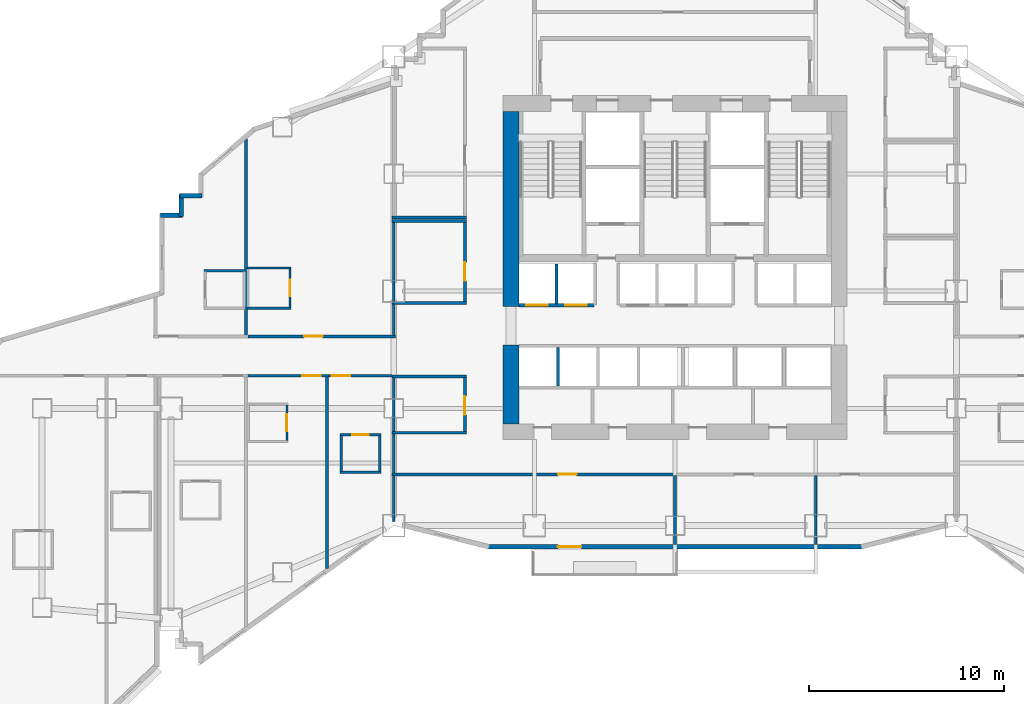
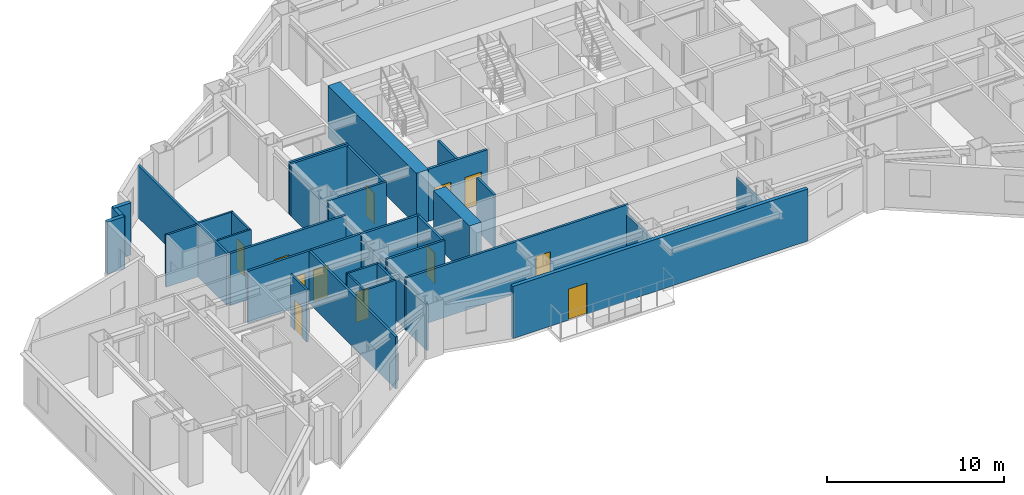
# One storey, part 7 of 17: 38 walls, 12 doors, 12 openings.
"""IFC4 building model written with IfcOpenShell, lengths in metres."""

from ifc_helpers import new_model, si_unit, direction, frame, frame_2d, origin, place, context, subcontext, project, spatial, rectangle, extrude, material, layer, layer_set, type_object, element, fill, save


model = new_model("IFC4")

# Units and contexts
model_context = context("Model", 3, precision=1e-05, world=origin(), true_north=direction((0.0, 1.0)))
body_context = subcontext(model_context, "Body", "Model", "MODEL_VIEW")
ifc_project = project(units=[si_unit("LENGTHUNIT", "METRE"), si_unit("AREAUNIT", "SQUARE_METRE"), si_unit("VOLUMEUNIT", "CUBIC_METRE"), si_unit("PLANEANGLEUNIT", "RADIAN"), si_unit("MASSUNIT", "GRAM", prefix="KILO")], contexts=[model_context])

# Site, building, storey
site_placement = place(None, origin())
site = spatial("IfcSite", under=ifc_project, at=site_placement, CompositionType="ELEMENT")
building_placement = place(site_placement, origin())
building = spatial("IfcBuilding", under=site, at=building_placement, Name="Haolan Belvedere Tower", CompositionType="ELEMENT")
storey_placement = place(building_placement, frame((0.0, 0.0, 55.199951171875)))
storey = spatial("IfcBuildingStorey", under=building, at=storey_placement, Name="L13", CompositionType="ELEMENT", Elevation=55.199951171875)

# Walls
ifc_material_1 = material(Name="Concrete C70/85", Category="concrete")
ifc_layer_1 = layer(ifc_material_1, 0.800048828125, Name="Concrete C70/85")
ifc_layer_set_1 = layer_set([ifc_layer_1], Name="Concrete C70/85")
wall_type_1 = type_object("IfcWallType", Name="WL-CORE-800", PredefinedType="SHEAR", material=ifc_layer_set_1)
wall_1_placement = place(storey_placement, frame((30.0, 26.800048828125, 0.0), z_axis=(0.0, 0.0, 1.0), x_axis=(0.0, 1.0, 0.0)))
element("IfcWall", 1, at=wall_1_placement, inside=storey, type_object=wall_type_1, Name="L13 central core shear wall WS", PredefinedType="SHEAR", context=body_context, shape_type="SweptSolid", body=[
    extrude(rectangle(XDim=4.050048828125, YDim=0.800048828125, at=frame_2d((2.02490234375, 0.0))), origin(), (0.0, 0.0, 1.0), 3.60009765625),
])
wall_2_placement = place(storey_placement, frame((30.0, 32.800048828125, 0.0), z_axis=(0.0, 0.0, 1.0), x_axis=(0.0, 1.0, 0.0)))
element("IfcWall", 2, at=wall_2_placement, inside=storey, type_object=wall_type_1, Name="L13 central core shear wall WN", PredefinedType="SHEAR", context=body_context, shape_type="SweptSolid", body=[
    extrude(rectangle(XDim=10.0, YDim=0.800048828125, at=frame_2d((5.0, 0.0))), origin(), (0.0, 0.0, 1.0), 3.60009765625),
])

# Wall, opening, door
ifc_material_2 = material(Name="Precast concrete C40/50", Category="concrete")
ifc_layer_2 = layer(ifc_material_2, 0.239990234375, Name="Precast concrete C40/50")
ifc_layer_set_2 = layer_set([ifc_layer_2], Name="Precast concrete C40/50")
wall_type_2 = type_object("IfcWallType", Name="WL-EXT-240", PredefinedType="SOLIDWALL", material=ifc_layer_set_2)
wall_3_placement = place(storey_placement, frame((28.759765625, 20.52001953125, 0.0), z_axis=(0.0, 0.0, 1.0), x_axis=(1.0, 0.0, 0.0)))
wall_3 = element("IfcWall", 3, at=wall_3_placement, inside=storey, type_object=wall_type_2, Name="L13 pale-metal exterior spandrel wall 13.1", PredefinedType="SOLIDWALL", context=body_context, shape_type="SweptSolid", body=[
    extrude(rectangle(XDim=19.280517578125, YDim=0.239990234375, at=frame_2d((9.64013671875, 0.0))), origin(), (0.0, 0.0, 1.0), 3.60009765625),
])
opening_1_placement = place(wall_3_placement, frame((4.840087890625, 0.0, 0.0), z_axis=(0.0, 0.0, 1.0), x_axis=(-1.0, 0.0, 0.0)))
opening_1 = element("IfcOpeningElement", 4, at=opening_1_placement, cuts=wall_3, Name="Opening BD-01", PredefinedType="OPENING", context=body_context, shape_type="SweptSolid", body=[
    extrude(rectangle(XDim=1.199951171875, YDim=2.14990234375, at=frame_2d((0.60009765625, 1.074951171875))), frame((0.0, 0.1298828125, 0.0), z_axis=(0.0, -1.0, 0.0), x_axis=(1.0, 0.0, 0.0)), (0.0, 0.0, 1.0), 0.260009765625),
])
ifc_material_3 = material(Name="Thermally broken pale-metal aluminium and Low-E glass", Category="aluminium")
door_type_1 = type_object("IfcDoorType", Name="DR-BAL-1200", OperationType="NOTDEFINED", PredefinedType="DOOR", material=ifc_material_3)
door_1_placement = place(opening_1_placement, origin())
door_1 = element("IfcDoor", 5, at=door_1_placement, inside=storey, type_object=door_type_1, Name="L13 tree-balcony access door 1", OperationType="SINGLE_SWING_LEFT", OverallHeight=2.14990234375, OverallWidth=1.199951171875, PredefinedType="DOOR", context=body_context, shape_type="SweptSolid", body=[
    extrude(rectangle(XDim=1.199951171875, YDim=2.14990234375, at=frame_2d((0.60009765625, 1.074951171875))), frame((0.0, 0.02490234375, 0.0), z_axis=(0.0, -1.0, 0.0), x_axis=(1.0, 0.0, 0.0)), (0.0, 0.0, 1.0), 0.050048828125),
])
fill(opening_1, door_1)

# Walls
wall_4_placement = place(storey_placement, frame((14.175048828125, 38.47998046875, 0.0), z_axis=(0.0, 0.0, 1.0), x_axis=(-1.0, 0.0, 0.0)))
element("IfcWall", 6, at=wall_4_placement, inside=storey, type_object=wall_type_2, Name="L13 pale-metal exterior spandrel wall 53.1", PredefinedType="SOLIDWALL", context=body_context, shape_type="SweptSolid", body=[
    extrude(rectangle(XDim=1.110107421875, YDim=0.239990234375, at=frame_2d((0.55517578125, 0.0))), origin(), (0.0, 0.0, 1.0), 3.60009765625),
])
wall_5_placement = place(storey_placement, frame((13.1201171875, 38.534912109375, 0.0), z_axis=(0.0, 0.0, 1.0), x_axis=(0.0, -1.0, 0.0)))
element("IfcWall", 7, at=wall_5_placement, inside=storey, type_object=wall_type_2, Name="L13 pale-metal exterior spandrel wall 54.1", PredefinedType="SOLIDWALL", context=body_context, shape_type="SweptSolid", body=[
    extrude(rectangle(XDim=1.10986328125, YDim=0.239990234375, at=frame_2d((0.554931640625, 0.0))), origin(), (0.0, 0.0, 1.0), 3.60009765625),
])
wall_6_placement = place(storey_placement, frame((13.175048828125, 37.47998046875, 0.0), z_axis=(0.0, 0.0, 1.0), x_axis=(-1.0, 0.0, 0.0)))
element("IfcWall", 8, at=wall_6_placement, inside=storey, type_object=wall_type_2, Name="L13 pale-metal exterior spandrel wall 55.1", PredefinedType="SOLIDWALL", context=body_context, shape_type="SweptSolid", body=[
    extrude(rectangle(XDim=1.110107421875, YDim=0.239990234375, at=frame_2d((0.55517578125, 0.0))), origin(), (0.0, 0.0, 1.0), 3.60009765625),
])
ifc_material_4 = material(Name="Double gypsum acoustic stud partition", Category="masonry")
ifc_layer_3 = layer(ifc_material_4, 0.14990234375, Name="Double gypsum acoustic stud partition")
ifc_layer_set_3 = layer_set([ifc_layer_3], Name="Double gypsum acoustic stud partition")
wall_type_3 = type_object("IfcWallType", Name="WL-PART-150", PredefinedType="PARTITIONING", material=ifc_layer_set_3)
for number, where, z_axis, x_axis, name in (
    (9, (23.919921875, 37.199951171875, 0.0), (0.0, 0.0, 1.0), (1.0, 0.0, 0.0), "L13 interior partition IW-L13-HSK-N"),
    (10, (23.919921875, 33.0, 0.0), (0.0, 0.0, 1.0), (1.0, 0.0, 0.0), "L13 interior partition IW-L13-HSK-S"),
):
    element("IfcWall", number, at=place(storey_placement, frame(where, z_axis=z_axis, x_axis=x_axis)), inside=storey, type_object=wall_type_3, Name=name, PredefinedType="PARTITIONING", context=body_context, shape_type="SweptSolid", body=[
        extrude(rectangle(XDim=3.800048828125, YDim=0.14990234375, at=frame_2d((1.89990234375, 0.0))), origin(), (0.0, 0.0, 1.0), 3.60009765625),
    ])
wall_7_placement = place(storey_placement, frame((24.0, 33.06005859375, 0.0), z_axis=(0.0, 0.0, 1.0), x_axis=(0.0, 1.0, 0.0)))
element("IfcWall", 11, at=wall_7_placement, inside=storey, type_object=wall_type_3, Name="L13 interior partition IW-L13-HSK-W", PredefinedType="PARTITIONING", context=body_context, shape_type="SweptSolid", body=[
    extrude(rectangle(XDim=4.079833984375, YDim=0.14990234375, at=frame_2d((2.0400390625, 0.0))), origin(), (0.0, 0.0, 1.0), 3.09716796875),
])

# Wall, opening, door
wall_8_placement = place(storey_placement, frame((27.639892578125, 33.06005859375, 0.0), z_axis=(0.0, 0.0, 1.0), x_axis=(0.0, 1.0, 0.0)))
wall_8 = element("IfcWall", 12, at=wall_8_placement, inside=storey, type_object=wall_type_3, Name="L13 interior partition IW-L13-HSK-E", PredefinedType="PARTITIONING", context=body_context, shape_type="SweptSolid", body=[
    extrude(rectangle(XDim=4.079833984375, YDim=0.14990234375, at=frame_2d((2.0400390625, 0.0))), origin(), (0.0, 0.0, 1.0), 3.60009765625),
])
opening_2_placement = place(wall_8_placement, frame((2.010009765625, 0.0, 0.0), z_axis=(0.0, 0.0, 1.0), x_axis=(-1.0, 0.0, 0.0)))
opening_2 = element("IfcOpeningElement", 13, at=opening_2_placement, cuts=wall_8, Name="Opening ID-03", PredefinedType="OPENING", context=body_context, shape_type="SweptSolid", body=[
    extrude(rectangle(XDim=0.949951171875, YDim=2.1201171875, at=frame_2d((0.47509765625, 1.06005859375))), frame((0.0, 0.0849609375, 0.0), z_axis=(0.0, -1.0, 0.0), x_axis=(1.0, 0.0, 0.0)), (0.0, 0.0, 1.0), 0.169921875),
])
ifc_material_5 = material(Name="Painted solid-core timber", Category="wood")
door_type_2 = type_object("IfcDoorType", Name="DR-INT-950", OperationType="NOTDEFINED", PredefinedType="DOOR", material=ifc_material_5)
door_2_placement = place(opening_2_placement, origin())
door_2 = element("IfcDoor", 14, at=door_2_placement, inside=storey, type_object=door_type_2, Name="L13 door ID-L13-HSK", OperationType="SINGLE_SWING_LEFT", OverallHeight=2.1201171875, OverallWidth=0.949951171875, PredefinedType="DOOR", context=body_context, shape_type="SweptSolid", body=[
    extrude(rectangle(XDim=0.949951171875, YDim=2.1201171875, at=frame_2d((0.47509765625, 1.06005859375))), frame((0.0, 0.02490234375, 0.0), z_axis=(0.0, -1.0, 0.0), x_axis=(1.0, 0.0, 0.0)), (0.0, 0.0, 1.0), 0.050048828125),
])
fill(opening_2, door_2)

# Walls
for number, where, z_axis, x_axis, name in (
    (15, (23.919921875, 37.360107421875, 0.0), (0.0, 0.0, 1.0), (1.0, 0.0, 0.0), "L13 interior partition IW-L13-MTG-S"),
    (16, (23.919921875, 29.22998046875, 0.0), (0.0, 0.0, 1.0), (1.0, 0.0, 0.0), "L13 interior partition IW-L13-PKTW-N"),
    (17, (23.919921875, 26.35009765625, 0.0), (0.0, 0.0, 1.0), (1.0, 0.0, 0.0), "L13 interior partition IW-L13-PKTW-S"),
):
    element("IfcWall", number, at=place(storey_placement, frame(where, z_axis=z_axis, x_axis=x_axis)), inside=storey, type_object=wall_type_3, Name=name, PredefinedType="PARTITIONING", context=body_context, shape_type="SweptSolid", body=[
        extrude(rectangle(XDim=3.800048828125, YDim=0.14990234375, at=frame_2d((1.89990234375, 0.0))), origin(), (0.0, 0.0, 1.0), 3.60009765625),
    ])
wall_9_placement = place(storey_placement, frame((24.0, 26.409912109375, 0.0), z_axis=(0.0, 0.0, 1.0), x_axis=(0.0, 1.0, 0.0)))
element("IfcWall", 18, at=wall_9_placement, inside=storey, type_object=wall_type_3, Name="L13 interior partition IW-L13-PKTW-W", PredefinedType="PARTITIONING", context=body_context, shape_type="SweptSolid", body=[
    extrude(rectangle(XDim=2.760009765625, YDim=0.14990234375, at=frame_2d((1.3798828125, 0.0))), origin(), (0.0, 0.0, 1.0), 3.09716796875),
])

# Wall, opening, door
wall_10_placement = place(storey_placement, frame((27.639892578125, 26.409912109375, 0.0), z_axis=(0.0, 0.0, 1.0), x_axis=(0.0, 1.0, 0.0)))
wall_10 = element("IfcWall", 19, at=wall_10_placement, inside=storey, type_object=wall_type_3, Name="L13 interior partition IW-L13-PKTW-E", PredefinedType="PARTITIONING", context=body_context, shape_type="SweptSolid", body=[
    extrude(rectangle(XDim=2.760009765625, YDim=0.14990234375, at=frame_2d((1.3798828125, 0.0))), origin(), (0.0, 0.0, 1.0), 3.60009765625),
])
opening_3_placement = place(wall_10_placement, frame((1.81005859375, 0.0, 0.0), z_axis=(0.0, 0.0, 1.0), x_axis=(-1.0, 0.0, 0.0)))
opening_3 = element("IfcOpeningElement", 20, at=opening_3_placement, cuts=wall_10, Name="Opening ID-03", PredefinedType="OPENING", context=body_context, shape_type="SweptSolid", body=[
    extrude(rectangle(XDim=0.949951171875, YDim=2.1201171875, at=frame_2d((0.47509765625, 1.06005859375))), frame((0.0, 0.0849609375, 0.0), z_axis=(0.0, -1.0, 0.0), x_axis=(1.0, 0.0, 0.0)), (0.0, 0.0, 1.0), 0.169921875),
])
door_3_placement = place(opening_3_placement, origin())
door_3 = element("IfcDoor", 21, at=door_3_placement, inside=storey, type_object=door_type_2, Name="L13 door ID-L13-PKTW", OperationType="SINGLE_SWING_LEFT", OverallHeight=2.1201171875, OverallWidth=0.949951171875, PredefinedType="DOOR", context=body_context, shape_type="SweptSolid", body=[
    extrude(rectangle(XDim=0.949951171875, YDim=2.1201171875, at=frame_2d((0.47509765625, 1.06005859375))), frame((0.0, 0.02490234375, 0.0), z_axis=(0.0, -1.0, 0.0), x_axis=(1.0, 0.0, 0.0)), (0.0, 0.0, 1.0), 0.050048828125),
])
fill(opening_3, door_3)

wall_11_placement = place(storey_placement, frame((23.919921875, 24.219970703125, 0.0), z_axis=(0.0, 0.0, 1.0), x_axis=(1.0, 0.0, 0.0)))
wall_11 = element("IfcWall", 22, at=wall_11_placement, inside=storey, type_object=wall_type_3, Name="L13 interior partition IW-L13-KS1-N", PredefinedType="PARTITIONING", context=body_context, shape_type="SweptSolid", body=[
    extrude(rectangle(XDim=14.56005859375, YDim=0.14990234375, at=frame_2d((7.280029296875, 0.0))), origin(), (0.0, 0.0, 1.0), 3.60009765625),
])
opening_4_placement = place(wall_11_placement, frame((9.445068359375, 0.0, 0.0), z_axis=(0.0, 0.0, 1.0), x_axis=(-1.0, 0.0, 0.0)))
opening_4 = element("IfcOpeningElement", 23, at=opening_4_placement, cuts=wall_11, Name="Opening ID-03", PredefinedType="OPENING", context=body_context, shape_type="SweptSolid", body=[
    extrude(rectangle(XDim=0.949951171875, YDim=2.1201171875, at=frame_2d((0.47509765625, 1.06005859375))), frame((0.0, 0.0849609375, 0.0), z_axis=(0.0, -1.0, 0.0), x_axis=(1.0, 0.0, 0.0)), (0.0, 0.0, 1.0), 0.169921875),
])
door_4_placement = place(opening_4_placement, origin())
door_4 = element("IfcDoor", 24, at=door_4_placement, inside=storey, type_object=door_type_2, Name="L13 door ID-L13-KS1", OperationType="SINGLE_SWING_LEFT", OverallHeight=2.1201171875, OverallWidth=0.949951171875, PredefinedType="DOOR", context=body_context, shape_type="SweptSolid", body=[
    extrude(rectangle(XDim=0.949951171875, YDim=2.1201171875, at=frame_2d((0.47509765625, 1.06005859375))), frame((0.0, 0.02490234375, 0.0), z_axis=(0.0, -1.0, 0.0), x_axis=(1.0, 0.0, 0.0)), (0.0, 0.0, 1.0), 0.050048828125),
])
fill(opening_4, door_4)

# Walls
wall_12_placement = place(storey_placement, frame((24.0, 21.818603515625, 0.0), z_axis=(0.0, 0.0, 1.0), x_axis=(0.0, 1.0, 0.0)))
element("IfcWall", 25, at=wall_12_placement, inside=storey, type_object=wall_type_3, Name="L13 interior partition IW-L13-KS1-W", PredefinedType="PARTITIONING", context=body_context, shape_type="SweptSolid", body=[
    extrude(rectangle(XDim=2.34130859375, YDim=0.14990234375, at=frame_2d((1.170654296875, 0.0))), origin(), (0.0, 0.0, 1.0), 3.09716796875),
])
for number, where, z_axis, x_axis, name in (
    (26, (38.39990234375, 20.625, 0.0), (0.0, 0.0, 1.0), (0.0, 1.0, 0.0), "L13 interior partition IW-L13-KS1-E"),
    (27, (45.60009765625, 20.625, 0.0), (0.0, 0.0, 1.0), (0.0, 1.0, 0.0), "L13 interior partition IW-L13-KS2-E"),
):
    element("IfcWall", number, at=place(storey_placement, frame(where, z_axis=z_axis, x_axis=x_axis)), inside=storey, type_object=wall_type_3, Name=name, PredefinedType="PARTITIONING", context=body_context, shape_type="SweptSolid", body=[
        extrude(rectangle(XDim=3.534912109375, YDim=0.14990234375, at=frame_2d((1.767578125, 0.0))), origin(), (0.0, 0.0, 1.0), 2.985107421875),
    ])
wall_13_placement = place(storey_placement, frame((16.43994140625, 31.340087890625, 0.0), z_axis=(0.0, 0.0, 1.0), x_axis=(0.0, 1.0, 0.0)))
element("IfcWall", 28, at=wall_13_placement, inside=storey, type_object=wall_type_3, Name="L13 interior partition IW-L13-T2N1-E", PredefinedType="PARTITIONING", context=body_context, shape_type="SweptSolid", body=[
    extrude(rectangle(XDim=10.054931640625, YDim=0.14990234375, at=frame_2d((5.02734375, 0.0))), origin(), (0.0, 0.0, 1.0), 3.60009765625),
])

# Wall, opening, door
wall_14_placement = place(storey_placement, frame((16.5419921875, 31.280029296875, 0.0), z_axis=(0.0, 0.0, 1.0), x_axis=(1.0, 0.0, 0.0)))
wall_14 = element("IfcWall", 29, at=wall_14_placement, inside=storey, type_object=wall_type_3, Name="L13 interior partition IW-L13-T2N2-S", PredefinedType="PARTITIONING", context=body_context, shape_type="SweptSolid", body=[
    extrude(rectangle(XDim=7.55810546875, YDim=0.14990234375, at=frame_2d((3.779052734375, 0.0))), origin(), (0.0, 0.0, 1.0), 3.60009765625),
])
opening_5_placement = place(wall_14_placement, frame((2.869384765625, 0.0, 0.0)))
opening_5 = element("IfcOpeningElement", 30, at=opening_5_placement, cuts=wall_14, Name="Opening ID-01", PredefinedType="OPENING", context=body_context, shape_type="SweptSolid", body=[
    extrude(rectangle(XDim=0.949951171875, YDim=2.179931640625, at=frame_2d((0.47509765625, 1.08984375))), frame((0.0, 0.0849609375, 0.0), z_axis=(0.0, -1.0, 0.0), x_axis=(1.0, 0.0, 0.0)), (0.0, 0.0, 1.0), 0.169921875),
])
ifc_material_6 = material(Name="Acoustic walnut veneer fire-rated timber", Category="wood")
door_type_3 = type_object("IfcDoorType", Name="DR-SUITE-950", OperationType="NOTDEFINED", PredefinedType="DOOR", material=ifc_material_6)
door_5_placement = place(opening_5_placement, origin())
door_5 = element("IfcDoor", 31, at=door_5_placement, inside=storey, type_object=door_type_3, Name="L13 door ID-L13-T2N2-ENT", OperationType="SINGLE_SWING_RIGHT", OverallHeight=2.179931640625, OverallWidth=0.949951171875, PredefinedType="DOOR", context=body_context, shape_type="SweptSolid", body=[
    extrude(rectangle(XDim=0.949951171875, YDim=2.179931640625, at=frame_2d((0.47509765625, 1.08984375))), frame((0.0, 0.02490234375, 0.0), z_axis=(0.0, -1.0, 0.0), x_axis=(1.0, 0.0, 0.0)), (0.0, 0.0, 1.0), 0.050048828125),
])
fill(opening_5, door_5)

# Wall
wall_15_placement = place(storey_placement, frame((24.0, 31.340087890625, 0.0), z_axis=(0.0, 0.0, 1.0), x_axis=(0.0, 1.0, 0.0)))
element("IfcWall", 32, at=wall_15_placement, inside=storey, type_object=wall_type_3, Name="L13 interior partition IW-L13-T2N2-E", PredefinedType="PARTITIONING", context=body_context, shape_type="SweptSolid", body=[
    extrude(rectangle(XDim=1.599853515625, YDim=0.14990234375, at=frame_2d((0.7998046875, 0.0))), origin(), (0.0, 0.0, 1.0), 3.09716796875),
])

# Wall, opening, door
wall_16_placement = place(storey_placement, frame((16.5419921875, 29.27001953125, 0.0), z_axis=(0.0, 0.0, 1.0), x_axis=(1.0, 0.0, 0.0)))
wall_16 = element("IfcWall", 33, at=wall_16_placement, inside=storey, type_object=wall_type_3, Name="L13 interior partition IW-L13-T2S2-N", PredefinedType="PARTITIONING", context=body_context, shape_type="SweptSolid", body=[
    extrude(rectangle(XDim=4.137939453125, YDim=0.14990234375, at=frame_2d((2.06884765625, 0.0))), origin(), (0.0, 0.0, 1.0), 3.60009765625),
])
opening_6_placement = place(wall_16_placement, frame((3.724853515625, 0.0, 0.0), z_axis=(0.0, 0.0, 1.0), x_axis=(-1.0, 0.0, 0.0)))
opening_6 = element("IfcOpeningElement", 34, at=opening_6_placement, cuts=wall_16, Name="Opening ID-02", PredefinedType="OPENING", context=body_context, shape_type="SweptSolid", body=[
    extrude(rectangle(XDim=0.949951171875, YDim=2.14990234375, at=frame_2d((0.47509765625, 1.074951171875))), frame((0.0, 0.0849609375, 0.0), z_axis=(0.0, -1.0, 0.0), x_axis=(1.0, 0.0, 0.0)), (0.0, 0.0, 1.0), 0.169921875),
])
ifc_material_7 = material(Name="Acoustic oak veneer fire-rated timber", Category="wood")
door_type_4 = type_object("IfcDoorType", Name="DR-GUEST-950", OperationType="NOTDEFINED", PredefinedType="DOOR", material=ifc_material_7)
door_6_placement = place(opening_6_placement, origin())
door_6 = element("IfcDoor", 35, at=door_6_placement, inside=storey, type_object=door_type_4, Name="L13 door ID-L13-T2S2-ENT", OperationType="SINGLE_SWING_RIGHT", OverallHeight=2.14990234375, OverallWidth=0.949951171875, PredefinedType="DOOR", context=body_context, shape_type="SweptSolid", body=[
    extrude(rectangle(XDim=0.949951171875, YDim=2.14990234375, at=frame_2d((0.47509765625, 1.074951171875))), frame((0.0, 0.02490234375, 0.0), z_axis=(0.0, -1.0, 0.0), x_axis=(1.0, 0.0, 0.0)), (0.0, 0.0, 1.0), 0.050048828125),
])
fill(opening_6, door_6)

# Wall
wall_17_placement = place(storey_placement, frame((20.580078125, 19.414794921875, 0.0), z_axis=(0.0, 0.0, 1.0), x_axis=(0.0, 1.0, 0.0)))
element("IfcWall", 36, at=wall_17_placement, inside=storey, type_object=wall_type_3, Name="L13 interior partition IW-L13-T2S2-E", PredefinedType="PARTITIONING", context=body_context, shape_type="SweptSolid", body=[
    extrude(rectangle(XDim=9.795166015625, YDim=0.14990234375, at=frame_2d((4.8974609375, 0.0))), origin(), (0.0, 0.0, 1.0), 3.60009765625),
])

# Wall, opening, door
wall_18_placement = place(storey_placement, frame((20.681884765625, 29.27001953125, 0.0), z_axis=(0.0, 0.0, 1.0), x_axis=(1.0, 0.0, 0.0)))
wall_18 = element("IfcWall", 37, at=wall_18_placement, inside=storey, type_object=wall_type_3, Name="L13 interior partition IW-L13-T2S3-N", PredefinedType="PARTITIONING", context=body_context, shape_type="SweptSolid", body=[
    extrude(rectangle(XDim=3.236083984375, YDim=0.14990234375, at=frame_2d((1.6181640625, 0.0))), origin(), (0.0, 0.0, 1.0), 3.60009765625),
])
opening_7_placement = place(wall_18_placement, frame((1.08984375, 0.0, 0.0), z_axis=(0.0, 0.0, 1.0), x_axis=(-1.0, 0.0, 0.0)))
opening_7 = element("IfcOpeningElement", 38, at=opening_7_placement, cuts=wall_18, Name="Opening ID-02", PredefinedType="OPENING", context=body_context, shape_type="SweptSolid", body=[
    extrude(rectangle(XDim=0.949951171875, YDim=2.14990234375, at=frame_2d((0.47509765625, 1.074951171875))), frame((0.0, 0.0849609375, 0.0), z_axis=(0.0, -1.0, 0.0), x_axis=(1.0, 0.0, 0.0)), (0.0, 0.0, 1.0), 0.169921875),
])
door_7_placement = place(opening_7_placement, origin())
door_7 = element("IfcDoor", 39, at=door_7_placement, inside=storey, type_object=door_type_4, Name="L13 door ID-L13-T2S3-ENT", OperationType="SINGLE_SWING_LEFT", OverallHeight=2.14990234375, OverallWidth=0.949951171875, PredefinedType="DOOR", context=body_context, shape_type="SweptSolid", body=[
    extrude(rectangle(XDim=0.949951171875, YDim=2.14990234375, at=frame_2d((0.47509765625, 1.074951171875))), frame((0.0, 0.02490234375, 0.0), z_axis=(0.0, -1.0, 0.0), x_axis=(1.0, 0.0, 0.0)), (0.0, 0.0, 1.0), 0.050048828125),
])
fill(opening_7, door_7)

# Wall
wall_19_placement = place(storey_placement, frame((24.0, 24.280029296875, 0.0), z_axis=(0.0, 0.0, 1.0), x_axis=(0.0, 1.0, 0.0)))
element("IfcWall", 40, at=wall_19_placement, inside=storey, type_object=wall_type_3, Name="L13 interior partition IW-L13-T2S3-E", PredefinedType="PARTITIONING", context=body_context, shape_type="SweptSolid", body=[
    extrude(rectangle(XDim=2.010009765625, YDim=0.14990234375, at=frame_2d((1.0048828125, 0.0))), origin(), (0.0, 0.0, 1.0), 3.09716796875),
])

# Wall, openings, doors
ifc_material_8 = material(Name="Gypsum fire shaftwall assembly", Category="masonry")
ifc_layer_4 = layer(ifc_material_8, 0.1650390625, Name="Gypsum fire shaftwall assembly")
ifc_layer_set_4 = layer_set([ifc_layer_4], Name="Gypsum fire shaftwall assembly")
wall_type_4 = type_object("IfcWallType", Name="WL-SHAFT-160", PredefinedType="SOLIDWALL", material=ifc_layer_set_4)
wall_20_placement = place(storey_placement, frame((30.39990234375, 32.8798828125, 0.0), z_axis=(0.0, 0.0, 1.0), x_axis=(1.0, 0.0, 0.0)))
wall_20 = element("IfcWall", 41, at=wall_20_placement, inside=storey, type_object=wall_type_4, Name="L13 interior partition IW-L13-ROW-PN1", PredefinedType="SOLIDWALL", context=body_context, shape_type="SweptSolid", body=[
    extrude(rectangle(XDim=3.85009765625, YDim=0.159912109375, at=frame_2d((1.925048828125, 0.0))), origin(), (0.0, 0.0, 1.0), 3.60009765625),
])
opening_8_placement = place(wall_20_placement, frame((1.47998046875, 0.0, 0.0), z_axis=(0.0, 0.0, 1.0), x_axis=(-1.0, 0.0, 0.0)))
opening_8 = element("IfcOpeningElement", 42, at=opening_8_placement, cuts=wall_20, Name="Opening LD-01", PredefinedType="OPENING", context=body_context, shape_type="SweptSolid", body=[
    extrude(rectangle(XDim=1.10009765625, YDim=2.199951171875, at=frame_2d((0.550048828125, 1.10009765625))), frame((0.0, 0.08984375, 0.0), z_axis=(0.0, -1.0, 0.0), x_axis=(1.0, 0.0, 0.0)), (0.0, 0.0, 1.0), 0.179931640625),
])
opening_9_placement = place(wall_20_placement, frame((3.47021484375, 0.0, 0.0), z_axis=(0.0, 0.0, 1.0), x_axis=(-1.0, 0.0, 0.0)))
opening_9 = element("IfcOpeningElement", 43, at=opening_9_placement, cuts=wall_20, Name="Opening LD-01", PredefinedType="OPENING", context=body_context, shape_type="SweptSolid", body=[
    extrude(rectangle(XDim=1.10009765625, YDim=2.199951171875, at=frame_2d((0.550048828125, 1.10009765625))), frame((0.0, 0.08984375, 0.0), z_axis=(0.0, -1.0, 0.0), x_axis=(1.0, 0.0, 0.0)), (0.0, 0.0, 1.0), 0.179931640625),
])
ifc_material_9 = material(Name="Brushed champagne stainless steel 316L", Category="steel")
door_type_5 = type_object("IfcDoorType", Name="DR-LIFT-1100", OperationType="SLIDING_TO_LEFT", PredefinedType="DOOR", material=ifc_material_9)
door_8_placement = place(opening_8_placement, origin())
door_8 = element("IfcDoor", 44, at=door_8_placement, inside=storey, type_object=door_type_5, Name="L13 door ID-L13-LD-PL1", OperationType="SLIDING_TO_LEFT", OverallHeight=2.199951171875, OverallWidth=1.10009765625, PredefinedType="DOOR", context=body_context, shape_type="SweptSolid", body=[
    extrude(rectangle(XDim=1.10009765625, YDim=2.199951171875, at=frame_2d((0.550048828125, 1.10009765625))), frame((0.0, 0.02490234375, 0.0), z_axis=(0.0, -1.0, 0.0), x_axis=(1.0, 0.0, 0.0)), (0.0, 0.0, 1.0), 0.050048828125),
])
fill(opening_8, door_8)
door_9_placement = place(opening_9_placement, origin())
door_9 = element("IfcDoor", 45, at=door_9_placement, inside=storey, type_object=door_type_5, Name="L13 door ID-L13-LD-PL2", OperationType="SLIDING_TO_LEFT", OverallHeight=2.199951171875, OverallWidth=1.10009765625, PredefinedType="DOOR", context=body_context, shape_type="SweptSolid", body=[
    extrude(rectangle(XDim=1.10009765625, YDim=2.199951171875, at=frame_2d((0.550048828125, 1.10009765625))), frame((0.0, 0.02490234375, 0.0), z_axis=(0.0, -1.0, 0.0), x_axis=(1.0, 0.0, 0.0)), (0.0, 0.0, 1.0), 0.050048828125),
])
fill(opening_9, door_9)

# Walls
wall_21_placement = place(storey_placement, frame((32.340087890625, 32.949951171875, 0.0), z_axis=(0.0, 0.0, 1.0), x_axis=(0.0, 1.0, 0.0)))
element("IfcWall", 46, at=wall_21_placement, inside=storey, type_object=wall_type_4, Name="L13 interior partition IW-L13-DIV-PL1", PredefinedType="SOLIDWALL", context=body_context, shape_type="SweptSolid", body=[
    extrude(rectangle(XDim=2.050048828125, YDim=0.14990234375, at=frame_2d((1.02490234375, 0.0))), origin(), (0.0, 0.0, 1.0), 3.60009765625),
])
wall_22_placement = place(storey_placement, frame((32.39990234375, 28.735107421875, 0.0), z_axis=(0.0, 0.0, 1.0), x_axis=(0.0, 1.0, 0.0)))
element("IfcWall", 47, at=wall_22_placement, inside=storey, type_object=wall_type_4, Name="L13 interior partition IW-L13-DIV-PM1", PredefinedType="SOLIDWALL", context=body_context, shape_type="SweptSolid", body=[
    extrude(rectangle(XDim=1.98486328125, YDim=0.14990234375, at=frame_2d((0.992431640625, 0.0))), origin(), (0.0, 0.0, 1.0), 3.60009765625),
])
ifc_material_10 = material(Name="Moisture-resistant gypsum tile partition", Category="masonry")
ifc_layer_5 = layer(ifc_material_10, 0.1201171875, Name="Moisture-resistant gypsum tile partition")
ifc_layer_set_5 = layer_set([ifc_layer_5], Name="Moisture-resistant gypsum tile partition")
wall_type_5 = type_object("IfcWallType", Name="WL-WET-120", PredefinedType="PARTITIONING", material=ifc_layer_set_5)
wall_23_placement = place(storey_placement, frame((14.300048828125, 34.64990234375, 0.0), z_axis=(0.0, 0.0, 1.0), x_axis=(1.0, 0.0, 0.0)))
element("IfcWall", 48, at=wall_23_placement, inside=storey, type_object=wall_type_5, Name="L13 interior partition IW-L13-T2N1-BN", PredefinedType="PARTITIONING", context=body_context, shape_type="SweptSolid", body=[
    extrude(rectangle(XDim=2.079833984375, YDim=0.1201171875, at=frame_2d((1.0400390625, 0.0))), origin(), (0.0, 0.0, 1.0), 3.60009765625),
])
for number, where, z_axis, x_axis, name in (
    (49, (16.5, 34.780029296875, 0.0), (0.0, 0.0, 1.0), (1.0, 0.0, 0.0), "L13 interior partition IW-L13-T2N2-BN"),
    (50, (16.5, 32.72998046875, 0.0), (0.0, 0.0, 1.0), (1.0, 0.0, 0.0), "L13 interior partition IW-L13-T2N2-BS"),
):
    element("IfcWall", number, at=place(storey_placement, frame(where, z_axis=z_axis, x_axis=x_axis)), inside=storey, type_object=wall_type_5, Name=name, PredefinedType="PARTITIONING", context=body_context, shape_type="SweptSolid", body=[
        extrude(rectangle(XDim=2.25, YDim=0.1201171875, at=frame_2d((1.125, 0.0))), origin(), (0.0, 0.0, 1.0), 3.60009765625),
    ])

# Wall, opening, door
wall_24_placement = place(storey_placement, frame((18.68994140625, 32.77490234375, 0.0), z_axis=(0.0, 0.0, 1.0), x_axis=(0.0, 1.0, 0.0)))
wall_24 = element("IfcWall", 51, at=wall_24_placement, inside=storey, type_object=wall_type_5, Name="L13 interior partition IW-L13-T2N2-BE", PredefinedType="PARTITIONING", context=body_context, shape_type="SweptSolid", body=[
    extrude(rectangle(XDim=1.960205078125, YDim=0.1201171875, at=frame_2d((0.97998046875, 0.0))), origin(), (0.0, 0.0, 1.0), 3.60009765625),
])
opening_10_placement = place(wall_24_placement, frame((0.554931640625, 0.0, 0.0)))
opening_10 = element("IfcOpeningElement", 52, at=opening_10_placement, cuts=wall_24, Name="Opening ID-05", PredefinedType="OPENING", context=body_context, shape_type="SweptSolid", body=[
    extrude(rectangle(XDim=0.85009765625, YDim=2.10009765625, at=frame_2d((0.425048828125, 1.050048828125))), frame((0.0, 0.070068359375, 0.0), z_axis=(0.0, -1.0, 0.0), x_axis=(1.0, 0.0, 0.0)), (0.0, 0.0, 1.0), 0.14013671875),
])
ifc_material_11 = material(Name="Moisture-resistant lacquered timber", Category="wood")
door_type_6 = type_object("IfcDoorType", Name="DR-BATH-850", OperationType="NOTDEFINED", PredefinedType="DOOR", material=ifc_material_11)
door_10_placement = place(opening_10_placement, origin())
door_10 = element("IfcDoor", 53, at=door_10_placement, inside=storey, type_object=door_type_6, Name="L13 door ID-L13-T2N2-BATH", OperationType="SINGLE_SWING_LEFT", OverallHeight=2.10009765625, OverallWidth=0.85009765625, PredefinedType="DOOR", context=body_context, shape_type="SweptSolid", body=[
    extrude(rectangle(XDim=0.85009765625, YDim=2.10009765625, at=frame_2d((0.425048828125, 1.050048828125))), frame((0.0, 0.02490234375, 0.0), z_axis=(0.0, -1.0, 0.0), x_axis=(1.0, 0.0, 0.0)), (0.0, 0.0, 1.0), 0.050048828125),
])
fill(opening_10, door_10)

wall_25_placement = place(storey_placement, frame((18.534912109375, 25.945068359375, 0.0), z_axis=(0.0, 0.0, 1.0), x_axis=(0.0, 1.0, 0.0)))
wall_25 = element("IfcWall", 54, at=wall_25_placement, inside=storey, type_object=wall_type_5, Name="L13 interior partition IW-L13-T2S2-BE", PredefinedType="PARTITIONING", context=body_context, shape_type="SweptSolid", body=[
    extrude(rectangle(XDim=1.829833984375, YDim=0.1201171875, at=frame_2d((0.9150390625, 0.0))), origin(), (0.0, 0.0, 1.0), 3.60009765625),
])
opening_11_placement = place(wall_25_placement, frame((0.489990234375, 0.0, 0.0)))
opening_11 = element("IfcOpeningElement", 55, at=opening_11_placement, cuts=wall_25, Name="Opening ID-05", PredefinedType="OPENING", context=body_context, shape_type="SweptSolid", body=[
    extrude(rectangle(XDim=0.85009765625, YDim=2.10009765625, at=frame_2d((0.425048828125, 1.050048828125))), frame((0.0, 0.070068359375, 0.0), z_axis=(0.0, -1.0, 0.0), x_axis=(1.0, 0.0, 0.0)), (0.0, 0.0, 1.0), 0.14013671875),
])
door_11_placement = place(opening_11_placement, origin())
door_11 = element("IfcDoor", 56, at=door_11_placement, inside=storey, type_object=door_type_6, Name="L13 door ID-L13-T2S2-BATH", OperationType="SINGLE_SWING_LEFT", OverallHeight=2.10009765625, OverallWidth=0.85009765625, PredefinedType="DOOR", context=body_context, shape_type="SweptSolid", body=[
    extrude(rectangle(XDim=0.85009765625, YDim=2.10009765625, at=frame_2d((0.425048828125, 1.050048828125))), frame((0.0, 0.02490234375, 0.0), z_axis=(0.0, -1.0, 0.0), x_axis=(1.0, 0.0, 0.0)), (0.0, 0.0, 1.0), 0.050048828125),
])
fill(opening_11, door_11)

wall_26_placement = place(storey_placement, frame((21.248046875, 26.2451171875, 0.0), z_axis=(0.0, 0.0, 1.0), x_axis=(1.0, 0.0, 0.0)))
wall_26 = element("IfcWall", 57, at=wall_26_placement, inside=storey, type_object=wall_type_5, Name="L13 interior partition IW-L13-T2S3-BN", PredefinedType="PARTITIONING", context=body_context, shape_type="SweptSolid", body=[
    extrude(rectangle(XDim=2.099853515625, YDim=0.1201171875, at=frame_2d((1.0498046875, 0.0))), origin(), (0.0, 0.0, 1.0), 3.60009765625),
])
opening_12_placement = place(wall_26_placement, frame((1.47509765625, 0.0, 0.0), z_axis=(0.0, 0.0, 1.0), x_axis=(-1.0, 0.0, 0.0)))
opening_12 = element("IfcOpeningElement", 58, at=opening_12_placement, cuts=wall_26, Name="Opening ID-05", PredefinedType="OPENING", context=body_context, shape_type="SweptSolid", body=[
    extrude(rectangle(XDim=0.85009765625, YDim=2.10009765625, at=frame_2d((0.425048828125, 1.050048828125))), frame((0.0, 0.070068359375, 0.0), z_axis=(0.0, -1.0, 0.0), x_axis=(1.0, 0.0, 0.0)), (0.0, 0.0, 1.0), 0.14013671875),
])
door_12_placement = place(opening_12_placement, origin())
door_12 = element("IfcDoor", 59, at=door_12_placement, inside=storey, type_object=door_type_6, Name="L13 door ID-L13-T2S3-BATH", OperationType="SINGLE_SWING_RIGHT", OverallHeight=2.10009765625, OverallWidth=0.85009765625, PredefinedType="DOOR", context=body_context, shape_type="SweptSolid", body=[
    extrude(rectangle(XDim=0.85009765625, YDim=2.10009765625, at=frame_2d((0.425048828125, 1.050048828125))), frame((0.0, 0.02490234375, 0.0), z_axis=(0.0, -1.0, 0.0), x_axis=(1.0, 0.0, 0.0)), (0.0, 0.0, 1.0), 0.050048828125),
])
fill(opening_12, door_12)

# Walls
wall_27_placement = place(storey_placement, frame((21.248046875, 24.324951171875, 0.0), z_axis=(0.0, 0.0, 1.0), x_axis=(1.0, 0.0, 0.0)))
element("IfcWall", 60, at=wall_27_placement, inside=storey, type_object=wall_type_5, Name="L13 interior partition IW-L13-T2S3-BS", PredefinedType="PARTITIONING", context=body_context, shape_type="SweptSolid", body=[
    extrude(rectangle(XDim=2.099853515625, YDim=0.1201171875, at=frame_2d((1.0498046875, 0.0))), origin(), (0.0, 0.0, 1.0), 3.60009765625),
])
for number, where, z_axis, x_axis, name in (
    (61, (21.30810546875, 24.3701171875, 0.0), (0.0, 0.0, 1.0), (0.0, 1.0, 0.0), "L13 interior partition IW-L13-T2S3-BW"),
    (62, (23.2880859375, 24.3701171875, 0.0), (0.0, 0.0, 1.0), (0.0, 1.0, 0.0), "L13 interior partition IW-L13-T2S3-BE"),
):
    element("IfcWall", number, at=place(storey_placement, frame(where, z_axis=z_axis, x_axis=x_axis)), inside=storey, type_object=wall_type_5, Name=name, PredefinedType="PARTITIONING", context=body_context, shape_type="SweptSolid", body=[
        extrude(rectangle(XDim=1.829833984375, YDim=0.1201171875, at=frame_2d((0.9150390625, 0.0))), origin(), (0.0, 0.0, 1.0), 3.60009765625),
    ])

save(model, "model.ifc")
